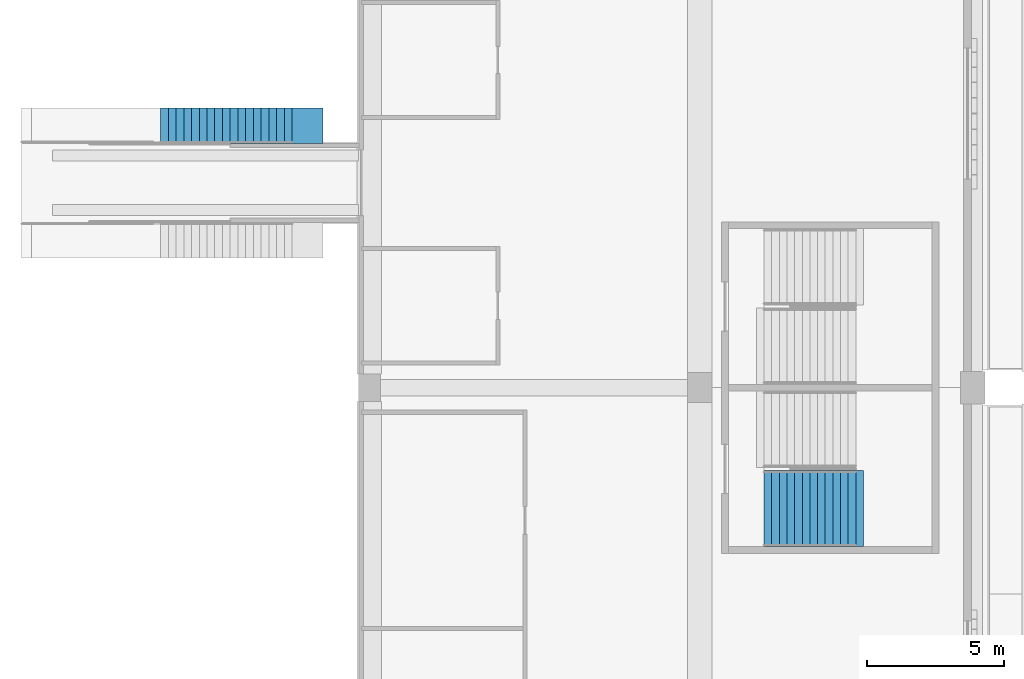
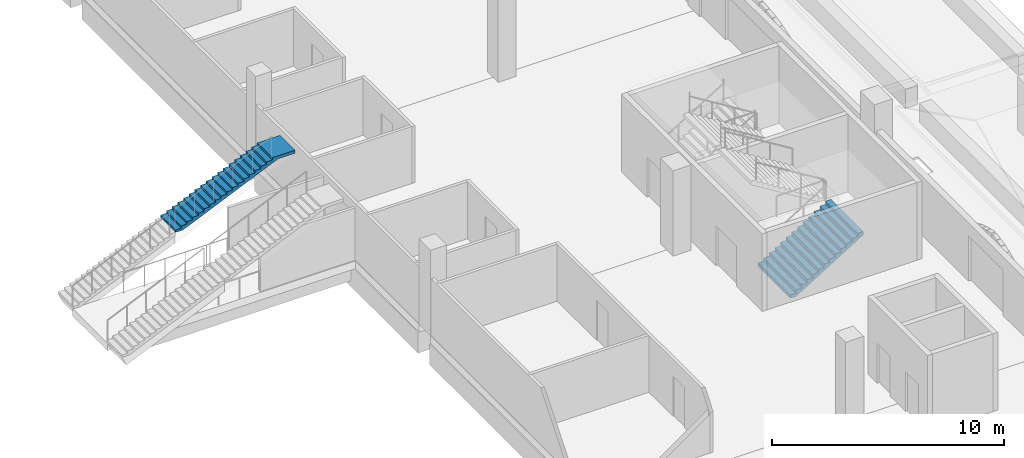
# One storey, part 104 of 175: 2 stair flights, 2 elements without a shape of their own.
"""IFC4 building model written with IfcOpenShell, lengths in metres."""

import ifcopenshell
import ifcopenshell.guid

model = None  # the IFC model being written
_history = None  # IfcOwnerHistory: only IFC2X3 demands one
_inside = {}  # id of a spatial element -> (the spatial element, [elements in it])
_under = {}  # id of a project, library or spatial element -> (it, [spatial elements below it])
_declared = {}  # id of a project -> (the project, [libraries it declares])
_typed = {}  # id of a type object -> (the type object, [elements of that type])
_made_of = {}  # id of a material, layer set ... -> (it, [elements and type objects made of it])


def new_model(schema):
    """Start an empty IFC model of exactly this schema.

    Asked for "IFC4X3", IfcOpenShell would pick the latest addendum, in which some entities
    have other attributes; the version numbers below select the first issue.
    IFC2X3 requires an IfcOwnerHistory on every rooted entity: one is made here for all.
    """
    global model, _history
    if schema == "IFC4X3":
        model = ifcopenshell.file(schema_version=(4, 3, 0, 0))
    else:
        model = ifcopenshell.file(schema=schema)
    _inside.clear()
    _under.clear()
    _declared.clear()
    _typed.clear()
    _made_of.clear()
    _history = None
    if model.schema == "IFC2X3":
        org = make("IfcOrganization", Name="unknown")
        user = make(
            "IfcPersonAndOrganization",
            ThePerson=make("IfcPerson", FamilyName="unknown"),
            TheOrganization=org,
        )
        app = make(
            "IfcApplication",
            ApplicationDeveloper=org,
            Version="unknown",
            ApplicationFullName="unknown",
            ApplicationIdentifier="unknown",
        )
        _history = make(
            "IfcOwnerHistory",
            OwningUser=user,
            OwningApplication=app,
            ChangeAction="ADDED",
            CreationDate=0,
        )
    return model


def make(cls, **values):
    """One entity of the class cls with the attributes given. An attribute that is None is left unset."""
    return model.create_entity(
        cls, **{name: value for name, value in values.items() if value is not None}
    )


def rooted(cls, **values):
    """An entity with a GlobalId (a new one), such as an element, a storey or a relation."""
    return make(cls, GlobalId=ifcopenshell.guid.new(), OwnerHistory=_history, **values)


def si_unit(unit_type, name, prefix=None):
    """IfcSIUnit, for example si_unit("LENGTHUNIT", "METRE", prefix="MILLI")."""
    return make("IfcSIUnit", UnitType=unit_type, Prefix=prefix, Name=name)


def assignment(units):
    """IfcUnitAssignment: the units of a project."""
    return None if units is None else make("IfcUnitAssignment", Units=units)


def point(xyz):
    """IfcCartesianPoint."""
    return None if xyz is None else make("IfcCartesianPoint", Coordinates=xyz)


def direction(xyz):
    """IfcDirection."""
    return None if xyz is None else make("IfcDirection", DirectionRatios=xyz)


def frame(location, z_axis=None, x_axis=None):
    """IfcAxis2Placement3D, a coordinate frame: its origin and axes. An axis left out is left unset."""
    return make(
        "IfcAxis2Placement3D",
        Location=point(location),
        Axis=direction(z_axis),
        RefDirection=direction(x_axis),
    )


def origin():
    """The frame at (0, 0, 0) with its axes left unset."""
    return frame((0.0, 0.0, 0.0))


def place(relative_to, where):
    """IfcLocalPlacement: puts the frame where relative to a parent placement (None: the world)."""
    return make(
        "IfcLocalPlacement", PlacementRelTo=relative_to, RelativePlacement=where
    )


def context(
    kind, dimensions, precision=None, world=None, true_north=None, identifier=None
):
    """IfcGeometricRepresentationContext, for example the 3D "Model" context."""
    return make(
        "IfcGeometricRepresentationContext",
        ContextIdentifier=identifier,
        ContextType=kind,
        CoordinateSpaceDimension=dimensions,
        Precision=precision,
        WorldCoordinateSystem=world,
        TrueNorth=true_north,
    )


def subcontext(parent, identifier, kind, view, scale=None):
    """IfcGeometricRepresentationSubContext, for example "Body" below "Model"."""
    return make(
        "IfcGeometricRepresentationSubContext",
        ContextIdentifier=identifier,
        ContextType=kind,
        ParentContext=parent,
        TargetScale=scale,
        TargetView=view,
    )


def project(units=None, contexts=None):
    """IfcProject with its units and contexts."""
    return rooted(
        "IfcProject",
        Name="project",
        RepresentationContexts=contexts,
        UnitsInContext=assignment(units),
    )


def spatial(cls, under=None, at=None, **own):
    """A site, building, storey or space (cls), placed at a placement, below another one or the project."""
    s = rooted(cls, ObjectPlacement=at, **own)
    if under is not None:
        _under.setdefault(under.id(), (under, []))[1].append(s)
    return s


def faces_of(points, faces, orient=None, outer=None):
    """IfcFace entities. A face is a list of loops; a loop is a list of indices into points, from 0.

    orient and outer hold one flag for each loop. By default every Orientation is true, the
    first loop of a face is its IfcFaceOuterBound and the others are IfcFaceBound.
    """
    made = []
    for i, loops in enumerate(faces):
        bounds = []
        for j, loop in enumerate(loops):
            is_outer = j == 0 if outer is None else outer[i][j]
            bounds.append(
                make(
                    "IfcFaceOuterBound" if is_outer else "IfcFaceBound",
                    Bound=make("IfcPolyLoop", Polygon=[points[k] for k in loop]),
                    Orientation=True if orient is None else orient[i][j],
                )
            )
        made.append(make("IfcFace", Bounds=bounds))
    return made


def faceted_brep(points, faces, orient=None, outer=None, voids=None):
    """IfcFacetedBrep: a solid bounded by flat faces; with voids (closed shells), ...WithVoids."""
    shared = [point(p) for p in points]
    hull = make("IfcClosedShell", CfsFaces=faces_of(shared, faces, orient, outer))
    if voids is None:
        return make("IfcFacetedBrep", Outer=hull)
    return make(
        "IfcFacetedBrepWithVoids",
        Outer=hull,
        Voids=[
            make(cls, CfsFaces=faces_of(shared, fs, o, b)) for cls, fs, o, b in voids
        ],
    )


def shape(context_of_items, identifier, shape_type, items):
    """IfcShapeRepresentation: the items that make up one representation, for example the "Body"."""
    return make(
        "IfcShapeRepresentation",
        ContextOfItems=context_of_items,
        RepresentationIdentifier=identifier,
        RepresentationType=shape_type,
        Items=items,
    )


def material(Name=None, Category=None):
    """IfcMaterial."""
    return make("IfcMaterial", Name=Name, Category=Category)


def made_of(thing, what):
    """Note that an element or type object is made of a material, layer set ...; save() writes the relation."""
    if what is not None:
        _made_of.setdefault(what.id(), (what, []))[1].append(thing)
    return thing


def type_object(cls, material=None, **own):
    """A type object (cls), such as IfcWallType, which elements share."""
    return made_of(rooted(cls, **own), material)


def element(
    cls,
    number,
    at=None,
    inside=None,
    cuts=None,
    type_object=None,
    material=None,
    context=None,
    identifier="Body",
    shape_type=None,
    held_by="IfcProductDefinitionShape",
    body=None,
    shapes=None,
    **own,
):
    """One element of the class cls, such as IfcWall. Its Tag is "e" and its number.

    at: its placement. inside: the storey or other place that contains it. cuts: it is an
    opening in that element (IfcRelVoidsElement). A single representation is given by context,
    identifier, shape_type and body (its items); several are given by shapes. held_by: the class
    of the entity that holds the representations. save() writes the other relations.
    """
    e = rooted(cls, Tag="e%d" % number, ObjectPlacement=at, **own)
    if body is not None:
        shapes = [shape(context, identifier, shape_type, body)]
    if shapes is not None:
        e.Representation = make(held_by, Representations=shapes)
    if inside is not None:
        _inside.setdefault(inside.id(), (inside, []))[1].append(e)
    if cuts is not None:
        rooted(
            "IfcRelVoidsElement", RelatingBuildingElement=cuts, RelatedOpeningElement=e
        )
    if type_object is not None:
        _typed.setdefault(type_object.id(), (type_object, []))[1].append(e)
    return made_of(e, material)


def aggregate(whole, parts):
    """IfcRelAggregates: a whole, such as a stair, and the parts it consists of."""
    return rooted("IfcRelAggregates", RelatingObject=whole, RelatedObjects=parts)


def save(model, path):
    """Write the relations noted so far, then the file.

    IfcRelAggregates (storeys below a building ...), IfcRelContainedInSpatialStructure (elements
    in a storey), IfcRelDefinesByType, IfcRelAssociatesMaterial and IfcRelDeclares: one each for
    every whole, place, type object, material and project.
    """
    for whole, parts in _under.values():
        aggregate(whole, parts)
    for where, things in _inside.values():
        rooted(
            "IfcRelContainedInSpatialStructure",
            RelatedElements=things,
            RelatingStructure=where,
        )
    for kind, things in _typed.values():
        rooted("IfcRelDefinesByType", RelatedObjects=things, RelatingType=kind)
    for what, things in _made_of.values():
        rooted("IfcRelAssociatesMaterial", RelatedObjects=things, RelatingMaterial=what)
    for by, libraries in _declared.values():
        rooted("IfcRelDeclares", RelatingContext=by, RelatedDefinitions=libraries)
    model.write(path)


model = new_model("IFC4")

# Units and contexts
model_context = context("Model", 3, precision=1e-05, world=origin(), true_north=direction((0.0, 1.0)))
body_context = subcontext(model_context, "Body", "Model", "MODEL_VIEW")
ifc_project = project(units=[si_unit("LENGTHUNIT", "METRE"), si_unit("AREAUNIT", "SQUARE_METRE"), si_unit("VOLUMEUNIT", "CUBIC_METRE"), si_unit("PLANEANGLEUNIT", "RADIAN"), si_unit("MASSUNIT", "GRAM", prefix="KILO")], contexts=[model_context])

# Site, building, storey
site_placement = place(None, origin())
site = spatial("IfcSite", under=ifc_project, at=site_placement, CompositionType="ELEMENT")
building_placement = place(site_placement, origin())
building = spatial("IfcBuilding", under=site, at=building_placement, Name="Ogive Plaza Stadium", CompositionType="ELEMENT")
storey_placement = place(building_placement, origin())
storey = spatial("IfcBuildingStorey", under=building, at=storey_placement, Name="L00", CompositionType="ELEMENT", Elevation=0.0)

# Stair, stair flight
ifc_material_1 = material(Name="Concrete C40/50", Category="concrete")
stair_type_1 = type_object("IfcStairType", Name="Aisle stair", PredefinedType="STRAIGHT_RUN_STAIR", material=ifc_material_1)
stair_1_placement = place(storey_placement, origin())
stair_1 = element("IfcStair", 1, at=stair_1_placement, inside=storey, type_object=stair_type_1, Name="Aisle stair SA03R", PredefinedType="STRAIGHT_RUN_STAIR")
ifc_material_2 = material(Name="Concrete C40/50", Category="concrete")
stair_flight_type_1 = type_object("IfcStairFlightType", Name="Aisle stair flight", PredefinedType="STRAIGHT", material=ifc_material_2)
stair_flight_1_placement = place(storey_placement, frame((54.25, 17.10009765625, 2.25), z_axis=(0.0, 0.0, 1.0), x_axis=(1.0, 0.0, 0.0)))
stair_flight_1 = element("IfcStairFlight", 2, at=stair_flight_1_placement, type_object=stair_flight_type_1, Name="SA03R flight 2", NumberOfRisers=18, NumberOfTreads=17, PredefinedType="STRAIGHT", RiserHeight=0.125, TreadLength=0.283333333, context=body_context, shape_type="Brep", body=[
    faceted_brep([(0.371337890625, -0.64990234375, 0.0), (5.10009765625, -0.64990234375, 2.086181640625), (5.949951171875, -0.64990234375, 2.086181640625), (5.949951171875, -0.64990234375, 2.25), (4.816650390625, -0.64990234375, 2.25), (4.816650390625, -0.64990234375, 2.125), (4.533447265625, -0.64990234375, 2.125), (4.533447265625, -0.64990234375, 2.0), (4.25, -0.64990234375, 2.0), (4.25, -0.64990234375, 1.875), (3.966552734375, -0.64990234375, 1.875), (3.966552734375, -0.64990234375, 1.75), (3.683349609375, -0.64990234375, 1.75), (3.683349609375, -0.64990234375, 1.625), (3.39990234375, -0.64990234375, 1.625), (3.39990234375, -0.64990234375, 1.5), (3.11669921875, -0.64990234375, 1.5), (3.11669921875, -0.64990234375, 1.375), (2.833251953125, -0.64990234375, 1.375), (2.833251953125, -0.64990234375, 1.25), (2.550048828125, -0.64990234375, 1.25), (2.550048828125, -0.64990234375, 1.125), (2.2666015625, -0.64990234375, 1.125), (2.2666015625, -0.64990234375, 1.0), (1.9833984375, -0.64990234375, 1.0), (1.9833984375, -0.64990234375, 0.875), (1.699951171875, -0.64990234375, 0.875), (1.699951171875, -0.64990234375, 0.75), (1.416748046875, -0.64990234375, 0.75), (1.416748046875, -0.64990234375, 0.625), (1.13330078125, -0.64990234375, 0.625), (1.13330078125, -0.64990234375, 0.5), (0.85009765625, -0.64990234375, 0.5), (0.85009765625, -0.64990234375, 0.375), (0.566650390625, -0.64990234375, 0.375), (0.566650390625, -0.64990234375, 0.25), (0.283447265625, -0.64990234375, 0.25), (0.283447265625, -0.64990234375, 0.125), (0.0, -0.64990234375, 0.125), (0.0, -0.64990234375, 0.0), (0.0, 0.64990234375, 0.0), (0.0, 0.64990234375, 0.125), (0.283447265625, 0.64990234375, 0.125), (0.283447265625, 0.64990234375, 0.25), (0.566650390625, 0.64990234375, 0.25), (0.566650390625, 0.64990234375, 0.375), (0.85009765625, 0.64990234375, 0.375), (0.85009765625, 0.64990234375, 0.5), (1.13330078125, 0.64990234375, 0.5), (1.13330078125, 0.64990234375, 0.625), (1.416748046875, 0.64990234375, 0.625), (1.416748046875, 0.64990234375, 0.75), (1.699951171875, 0.64990234375, 0.75), (1.699951171875, 0.64990234375, 0.875), (1.9833984375, 0.64990234375, 0.875), (1.9833984375, 0.64990234375, 1.0), (2.2666015625, 0.64990234375, 1.0), (2.2666015625, 0.64990234375, 1.125), (2.550048828125, 0.64990234375, 1.125), (2.550048828125, 0.64990234375, 1.25), (2.833251953125, 0.64990234375, 1.25), (2.833251953125, 0.64990234375, 1.375), (3.11669921875, 0.64990234375, 1.375), (3.11669921875, 0.64990234375, 1.5), (3.39990234375, 0.64990234375, 1.5), (3.39990234375, 0.64990234375, 1.625), (3.683349609375, 0.64990234375, 1.625), (3.683349609375, 0.64990234375, 1.75), (3.966552734375, 0.64990234375, 1.75), (3.966552734375, 0.64990234375, 1.875), (4.25, 0.64990234375, 1.875), (4.25, 0.64990234375, 2.0), (4.533447265625, 0.64990234375, 2.0), (4.533447265625, 0.64990234375, 2.125), (4.816650390625, 0.64990234375, 2.125), (4.816650390625, 0.64990234375, 2.25), (5.949951171875, 0.64990234375, 2.25), (5.949951171875, 0.64990234375, 2.086181640625), (5.10009765625, 0.64990234375, 2.086181640625), (0.371337890625, 0.64990234375, 0.0), (0.371337890625, -0.324951171875, 0.0), (5.10009765625, -0.324951171875, 2.086181640625), (0.371337890625, 0.0, 0.0), (5.10009765625, 0.0, 2.086181640625), (0.371337890625, 0.324951171875, 0.0), (5.10009765625, 0.324951171875, 2.086181640625), (5.949951171875, -0.324951171875, 2.086181640625), (5.949951171875, 0.0, 2.086181640625), (5.949951171875, 0.324951171875, 2.086181640625), (5.949951171875, -0.324951171875, 2.25), (5.949951171875, 0.0, 2.25), (5.949951171875, 0.324951171875, 2.25), (4.816650390625, -0.324951171875, 2.25), (4.816650390625, 0.0, 2.25), (4.816650390625, 0.324951171875, 2.25), (4.816650390625, -0.324951171875, 2.125), (4.816650390625, 0.0, 2.125), (4.816650390625, 0.324951171875, 2.125), (4.533447265625, -0.324951171875, 2.125), (4.533447265625, 0.0, 2.125), (4.533447265625, 0.324951171875, 2.125), (4.533447265625, -0.324951171875, 2.0), (4.533447265625, 0.0, 2.0), (4.533447265625, 0.324951171875, 2.0), (4.25, -0.324951171875, 2.0), (4.25, 0.0, 2.0), (4.25, 0.324951171875, 2.0), (4.25, -0.324951171875, 1.875), (4.25, 0.0, 1.875), (4.25, 0.324951171875, 1.875), (3.966552734375, -0.324951171875, 1.875), (3.966552734375, 0.0, 1.875), (3.966552734375, 0.324951171875, 1.875), (3.966552734375, -0.324951171875, 1.75), (3.966552734375, 0.0, 1.75), (3.966552734375, 0.324951171875, 1.75), (3.683349609375, -0.324951171875, 1.75), (3.683349609375, 0.0, 1.75), (3.683349609375, 0.324951171875, 1.75), (3.683349609375, -0.324951171875, 1.625), (3.683349609375, 0.0, 1.625), (3.683349609375, 0.324951171875, 1.625), (3.39990234375, -0.324951171875, 1.625), (3.39990234375, 0.0, 1.625), (3.39990234375, 0.324951171875, 1.625), (3.39990234375, -0.324951171875, 1.5), (3.39990234375, 0.0, 1.5), (3.39990234375, 0.324951171875, 1.5), (3.11669921875, -0.324951171875, 1.5), (3.11669921875, 0.0, 1.5), (3.11669921875, 0.324951171875, 1.5), (3.11669921875, -0.324951171875, 1.375), (3.11669921875, 0.0, 1.375), (3.11669921875, 0.324951171875, 1.375), (2.833251953125, -0.324951171875, 1.375), (2.833251953125, 0.0, 1.375), (2.833251953125, 0.324951171875, 1.375), (2.833251953125, -0.324951171875, 1.25), (2.833251953125, 0.0, 1.25), (2.833251953125, 0.324951171875, 1.25), (2.550048828125, -0.324951171875, 1.25), (2.550048828125, 0.0, 1.25), (2.550048828125, 0.324951171875, 1.25), (2.550048828125, -0.324951171875, 1.125), (2.550048828125, 0.0, 1.125), (2.550048828125, 0.324951171875, 1.125), (2.2666015625, -0.324951171875, 1.125), (2.2666015625, 0.0, 1.125), (2.2666015625, 0.324951171875, 1.125), (2.2666015625, -0.324951171875, 1.0), (2.2666015625, 0.0, 1.0), (2.2666015625, 0.324951171875, 1.0), (1.9833984375, -0.324951171875, 1.0), (1.9833984375, 0.0, 1.0), (1.9833984375, 0.324951171875, 1.0), (1.9833984375, -0.324951171875, 0.875), (1.9833984375, 0.0, 0.875), (1.9833984375, 0.324951171875, 0.875), (1.699951171875, -0.324951171875, 0.875), (1.699951171875, 0.0, 0.875), (1.699951171875, 0.324951171875, 0.875), (1.699951171875, -0.324951171875, 0.75), (1.699951171875, 0.0, 0.75), (1.699951171875, 0.324951171875, 0.75), (1.416748046875, -0.324951171875, 0.75), (1.416748046875, 0.0, 0.75), (1.416748046875, 0.324951171875, 0.75), (1.416748046875, -0.324951171875, 0.625), (1.416748046875, 0.0, 0.625), (1.416748046875, 0.324951171875, 0.625), (1.13330078125, -0.324951171875, 0.625), (1.13330078125, 0.0, 0.625), (1.13330078125, 0.324951171875, 0.625), (1.13330078125, -0.324951171875, 0.5), (1.13330078125, 0.0, 0.5), (1.13330078125, 0.324951171875, 0.5), (0.85009765625, -0.324951171875, 0.5), (0.85009765625, 0.0, 0.5), (0.85009765625, 0.324951171875, 0.5), (0.85009765625, -0.324951171875, 0.375), (0.85009765625, 0.0, 0.375), (0.85009765625, 0.324951171875, 0.375), (0.566650390625, -0.324951171875, 0.375), (0.566650390625, 0.0, 0.375), (0.566650390625, 0.324951171875, 0.375), (0.566650390625, -0.324951171875, 0.25), (0.566650390625, 0.0, 0.25), (0.566650390625, 0.324951171875, 0.25), (0.283447265625, -0.324951171875, 0.25), (0.283447265625, 0.0, 0.25), (0.283447265625, 0.324951171875, 0.25), (0.283447265625, -0.324951171875, 0.125), (0.283447265625, 0.0, 0.125), (0.283447265625, 0.324951171875, 0.125), (0.0, -0.324951171875, 0.125), (0.0, 0.0, 0.125), (0.0, 0.324951171875, 0.125), (0.0, -0.324951171875, 0.0), (0.0, 0.0, 0.0), (0.0, 0.324951171875, 0.0)], [[[0, 1, 2, 3, 4, 5, 6, 7, 8, 9, 10, 11, 12, 13, 14, 15, 16, 17, 18, 19, 20, 21, 22, 23, 24, 25, 26, 27, 28, 29, 30, 31, 32, 33, 34, 35, 36, 37, 38, 39]], [[40, 41, 42, 43, 44, 45, 46, 47, 48, 49, 50, 51, 52, 53, 54, 55, 56, 57, 58, 59, 60, 61, 62, 63, 64, 65, 66, 67, 68, 69, 70, 71, 72, 73, 74, 75, 76, 77, 78, 79]], [[0, 80, 81, 1]], [[80, 82, 83, 81]], [[82, 84, 85, 83]], [[84, 79, 78, 85]], [[1, 81, 86, 2]], [[81, 83, 87, 86]], [[83, 85, 88, 87]], [[85, 78, 77, 88]], [[2, 86, 89, 3]], [[86, 87, 90, 89]], [[87, 88, 91, 90]], [[88, 77, 76, 91]], [[3, 89, 92, 4]], [[89, 90, 93, 92]], [[90, 91, 94, 93]], [[91, 76, 75, 94]], [[4, 92, 95, 5]], [[92, 93, 96, 95]], [[93, 94, 97, 96]], [[94, 75, 74, 97]], [[5, 95, 98, 6]], [[95, 96, 99, 98]], [[96, 97, 100, 99]], [[97, 74, 73, 100]], [[6, 98, 101, 7]], [[98, 99, 102, 101]], [[99, 100, 103, 102]], [[100, 73, 72, 103]], [[7, 101, 104, 8]], [[101, 102, 105, 104]], [[102, 103, 106, 105]], [[103, 72, 71, 106]], [[8, 104, 107, 9]], [[104, 105, 108, 107]], [[105, 106, 109, 108]], [[106, 71, 70, 109]], [[9, 107, 110, 10]], [[107, 108, 111, 110]], [[108, 109, 112, 111]], [[109, 70, 69, 112]], [[10, 110, 113, 11]], [[110, 111, 114, 113]], [[111, 112, 115, 114]], [[112, 69, 68, 115]], [[11, 113, 116, 12]], [[113, 114, 117, 116]], [[114, 115, 118, 117]], [[115, 68, 67, 118]], [[12, 116, 119, 13]], [[116, 117, 120, 119]], [[117, 118, 121, 120]], [[118, 67, 66, 121]], [[13, 119, 122, 14]], [[119, 120, 123, 122]], [[120, 121, 124, 123]], [[121, 66, 65, 124]], [[14, 122, 125, 15]], [[122, 123, 126, 125]], [[123, 124, 127, 126]], [[124, 65, 64, 127]], [[15, 125, 128, 16]], [[125, 126, 129, 128]], [[126, 127, 130, 129]], [[127, 64, 63, 130]], [[16, 128, 131, 17]], [[128, 129, 132, 131]], [[129, 130, 133, 132]], [[130, 63, 62, 133]], [[17, 131, 134, 18]], [[131, 132, 135, 134]], [[132, 133, 136, 135]], [[133, 62, 61, 136]], [[18, 134, 137, 19]], [[134, 135, 138, 137]], [[135, 136, 139, 138]], [[136, 61, 60, 139]], [[19, 137, 140, 20]], [[137, 138, 141, 140]], [[138, 139, 142, 141]], [[139, 60, 59, 142]], [[20, 140, 143, 21]], [[140, 141, 144, 143]], [[141, 142, 145, 144]], [[142, 59, 58, 145]], [[21, 143, 146, 22]], [[143, 144, 147, 146]], [[144, 145, 148, 147]], [[145, 58, 57, 148]], [[22, 146, 149, 23]], [[146, 147, 150, 149]], [[147, 148, 151, 150]], [[148, 57, 56, 151]], [[23, 149, 152, 24]], [[149, 150, 153, 152]], [[150, 151, 154, 153]], [[151, 56, 55, 154]], [[24, 152, 155, 25]], [[152, 153, 156, 155]], [[153, 154, 157, 156]], [[154, 55, 54, 157]], [[25, 155, 158, 26]], [[155, 156, 159, 158]], [[156, 157, 160, 159]], [[157, 54, 53, 160]], [[26, 158, 161, 27]], [[158, 159, 162, 161]], [[159, 160, 163, 162]], [[160, 53, 52, 163]], [[27, 161, 164, 28]], [[161, 162, 165, 164]], [[162, 163, 166, 165]], [[163, 52, 51, 166]], [[28, 164, 167, 29]], [[164, 165, 168, 167]], [[165, 166, 169, 168]], [[166, 51, 50, 169]], [[29, 167, 170, 30]], [[167, 168, 171, 170]], [[168, 169, 172, 171]], [[169, 50, 49, 172]], [[30, 170, 173, 31]], [[170, 171, 174, 173]], [[171, 172, 175, 174]], [[172, 49, 48, 175]], [[31, 173, 176, 32]], [[173, 174, 177, 176]], [[174, 175, 178, 177]], [[175, 48, 47, 178]], [[32, 176, 179, 33]], [[176, 177, 180, 179]], [[177, 178, 181, 180]], [[178, 47, 46, 181]], [[33, 179, 182, 34]], [[179, 180, 183, 182]], [[180, 181, 184, 183]], [[181, 46, 45, 184]], [[34, 182, 185, 35]], [[182, 183, 186, 185]], [[183, 184, 187, 186]], [[184, 45, 44, 187]], [[35, 185, 188, 36]], [[185, 186, 189, 188]], [[186, 187, 190, 189]], [[187, 44, 43, 190]], [[36, 188, 191, 37]], [[188, 189, 192, 191]], [[189, 190, 193, 192]], [[190, 43, 42, 193]], [[37, 191, 194, 38]], [[191, 192, 195, 194]], [[192, 193, 196, 195]], [[193, 42, 41, 196]], [[38, 194, 197, 39]], [[194, 195, 198, 197]], [[195, 196, 199, 198]], [[196, 41, 40, 199]], [[39, 197, 80, 0]], [[197, 198, 82, 80]], [[198, 199, 84, 82]], [[199, 40, 79, 84]]]),
])
aggregate(stair_1, [stair_flight_1])

ifc_material_3 = material(Name="Concrete C40/50", Category="concrete")
stair_type_2 = type_object("IfcStairType", Name="Exit stair", PredefinedType="STRAIGHT_RUN_STAIR", material=ifc_material_3)
stair_2_placement = place(storey_placement, origin())
stair_2 = element("IfcStair", 3, at=stair_2_placement, inside=storey, type_object=stair_type_2, Name="Exit stair ST04A L00 to L01", PredefinedType="STRAIGHT_RUN_STAIR")
ifc_material_4 = material(Name="Concrete C40/50", Category="concrete")
stair_flight_type_2 = type_object("IfcStairFlightType", Name="Exit stair flight", PredefinedType="STRAIGHT", material=ifc_material_4)
stair_flight_2_placement = place(storey_placement, frame((76.35009765625, 3.074951171875, 0.0), z_axis=(0.0, 0.0, 1.0), x_axis=(1.0, 0.0, 0.0)))
stair_flight_2 = element("IfcStairFlight", 4, at=stair_flight_2_placement, type_object=stair_flight_type_2, Name="ST04A flight 1", NumberOfRisers=13, NumberOfTreads=12, PredefinedType="STRAIGHT", RiserHeight=0.173076923, TreadLength=0.28, context=body_context, shape_type="Brep", body=[
    faceted_brep([(0.28515625, -1.39990234375, 0.0), (3.639892578125, -1.39990234375, 2.07373046875), (3.639892578125, -1.39990234375, 2.25), (3.360107421875, -1.39990234375, 2.25), (3.360107421875, -1.39990234375, 2.076904296875), (3.080078125, -1.39990234375, 2.076904296875), (3.080078125, -1.39990234375, 1.90380859375), (2.800048828125, -1.39990234375, 1.90380859375), (2.800048828125, -1.39990234375, 1.730712890625), (2.52001953125, -1.39990234375, 1.730712890625), (2.52001953125, -1.39990234375, 1.5576171875), (2.239990234375, -1.39990234375, 1.5576171875), (2.239990234375, -1.39990234375, 1.384521484375), (1.9599609375, -1.39990234375, 1.384521484375), (1.9599609375, -1.39990234375, 1.21142578125), (1.679931640625, -1.39990234375, 1.21142578125), (1.679931640625, -1.39990234375, 1.03857421875), (1.39990234375, -1.39990234375, 1.03857421875), (1.39990234375, -1.39990234375, 0.865478515625), (1.1201171875, -1.39990234375, 0.865478515625), (1.1201171875, -1.39990234375, 0.6923828125), (0.840087890625, -1.39990234375, 0.6923828125), (0.840087890625, -1.39990234375, 0.519287109375), (0.56005859375, -1.39990234375, 0.519287109375), (0.56005859375, -1.39990234375, 0.34619140625), (0.280029296875, -1.39990234375, 0.34619140625), (0.280029296875, -1.39990234375, 0.173095703125), (0.0, -1.39990234375, 0.173095703125), (0.0, -1.39990234375, 0.0), (0.0, 1.39990234375, 0.0), (0.0, 1.39990234375, 0.173095703125), (0.280029296875, 1.39990234375, 0.173095703125), (0.280029296875, 1.39990234375, 0.34619140625), (0.56005859375, 1.39990234375, 0.34619140625), (0.56005859375, 1.39990234375, 0.519287109375), (0.840087890625, 1.39990234375, 0.519287109375), (0.840087890625, 1.39990234375, 0.6923828125), (1.1201171875, 1.39990234375, 0.6923828125), (1.1201171875, 1.39990234375, 0.865478515625), (1.39990234375, 1.39990234375, 0.865478515625), (1.39990234375, 1.39990234375, 1.03857421875), (1.679931640625, 1.39990234375, 1.03857421875), (1.679931640625, 1.39990234375, 1.21142578125), (1.9599609375, 1.39990234375, 1.21142578125), (1.9599609375, 1.39990234375, 1.384521484375), (2.239990234375, 1.39990234375, 1.384521484375), (2.239990234375, 1.39990234375, 1.5576171875), (2.52001953125, 1.39990234375, 1.5576171875), (2.52001953125, 1.39990234375, 1.730712890625), (2.800048828125, 1.39990234375, 1.730712890625), (2.800048828125, 1.39990234375, 1.90380859375), (3.080078125, 1.39990234375, 1.90380859375), (3.080078125, 1.39990234375, 2.076904296875), (3.360107421875, 1.39990234375, 2.076904296875), (3.360107421875, 1.39990234375, 2.25), (3.639892578125, 1.39990234375, 2.25), (3.639892578125, 1.39990234375, 2.07373046875), (0.28515625, 1.39990234375, 0.0), (0.28515625, -1.0888671875, 0.0), (3.639892578125, -1.0888671875, 2.07373046875), (0.28515625, -0.77783203125, 0.0), (3.639892578125, -0.77783203125, 2.07373046875), (0.28515625, -0.466796875, 0.0), (3.639892578125, -0.466796875, 2.07373046875), (0.28515625, -0.155517578125, 0.0), (3.639892578125, -0.155517578125, 2.07373046875), (0.28515625, 0.155517578125, 0.0), (3.639892578125, 0.155517578125, 2.07373046875), (0.28515625, 0.466796875, 0.0), (3.639892578125, 0.466796875, 2.07373046875), (0.28515625, 0.77783203125, 0.0), (3.639892578125, 0.77783203125, 2.07373046875), (0.28515625, 1.0888671875, 0.0), (3.639892578125, 1.0888671875, 2.07373046875), (3.639892578125, -1.0888671875, 2.25), (3.639892578125, -0.77783203125, 2.25), (3.639892578125, -0.466796875, 2.25), (3.639892578125, -0.155517578125, 2.25), (3.639892578125, 0.155517578125, 2.25), (3.639892578125, 0.466796875, 2.25), (3.639892578125, 0.77783203125, 2.25), (3.639892578125, 1.0888671875, 2.25), (3.360107421875, -1.0888671875, 2.25), (3.360107421875, -0.77783203125, 2.25), (3.360107421875, -0.466796875, 2.25), (3.360107421875, -0.155517578125, 2.25), (3.360107421875, 0.155517578125, 2.25), (3.360107421875, 0.466796875, 2.25), (3.360107421875, 0.77783203125, 2.25), (3.360107421875, 1.0888671875, 2.25), (3.360107421875, -1.0888671875, 2.076904296875), (3.360107421875, -0.77783203125, 2.076904296875), (3.360107421875, -0.466796875, 2.076904296875), (3.360107421875, -0.155517578125, 2.076904296875), (3.360107421875, 0.155517578125, 2.076904296875), (3.360107421875, 0.466796875, 2.076904296875), (3.360107421875, 0.77783203125, 2.076904296875), (3.360107421875, 1.0888671875, 2.076904296875), (3.080078125, -1.0888671875, 2.076904296875), (3.080078125, -0.77783203125, 2.076904296875), (3.080078125, -0.466796875, 2.076904296875), (3.080078125, -0.155517578125, 2.076904296875), (3.080078125, 0.155517578125, 2.076904296875), (3.080078125, 0.466796875, 2.076904296875), (3.080078125, 0.77783203125, 2.076904296875), (3.080078125, 1.0888671875, 2.076904296875), (3.080078125, -1.0888671875, 1.90380859375), (3.080078125, -0.77783203125, 1.90380859375), (3.080078125, -0.466796875, 1.90380859375), (3.080078125, -0.155517578125, 1.90380859375), (3.080078125, 0.155517578125, 1.90380859375), (3.080078125, 0.466796875, 1.90380859375), (3.080078125, 0.77783203125, 1.90380859375), (3.080078125, 1.0888671875, 1.90380859375), (2.800048828125, -1.0888671875, 1.90380859375), (2.800048828125, -0.77783203125, 1.90380859375), (2.800048828125, -0.466796875, 1.90380859375), (2.800048828125, -0.155517578125, 1.90380859375), (2.800048828125, 0.155517578125, 1.90380859375), (2.800048828125, 0.466796875, 1.90380859375), (2.800048828125, 0.77783203125, 1.90380859375), (2.800048828125, 1.0888671875, 1.90380859375), (2.800048828125, -1.0888671875, 1.730712890625), (2.800048828125, -0.77783203125, 1.730712890625), (2.800048828125, -0.466796875, 1.730712890625), (2.800048828125, -0.155517578125, 1.730712890625), (2.800048828125, 0.155517578125, 1.730712890625), (2.800048828125, 0.466796875, 1.730712890625), (2.800048828125, 0.77783203125, 1.730712890625), (2.800048828125, 1.0888671875, 1.730712890625), (2.52001953125, -1.0888671875, 1.730712890625), (2.52001953125, -0.77783203125, 1.730712890625), (2.52001953125, -0.466796875, 1.730712890625), (2.52001953125, -0.155517578125, 1.730712890625), (2.52001953125, 0.155517578125, 1.730712890625), (2.52001953125, 0.466796875, 1.730712890625), (2.52001953125, 0.77783203125, 1.730712890625), (2.52001953125, 1.0888671875, 1.730712890625), (2.52001953125, -1.0888671875, 1.5576171875), (2.52001953125, -0.77783203125, 1.5576171875), (2.52001953125, -0.466796875, 1.5576171875), (2.52001953125, -0.155517578125, 1.5576171875), (2.52001953125, 0.155517578125, 1.5576171875), (2.52001953125, 0.466796875, 1.5576171875), (2.52001953125, 0.77783203125, 1.5576171875), (2.52001953125, 1.0888671875, 1.5576171875), (2.239990234375, -1.0888671875, 1.5576171875), (2.239990234375, -0.77783203125, 1.5576171875), (2.239990234375, -0.466796875, 1.5576171875), (2.239990234375, -0.155517578125, 1.5576171875), (2.239990234375, 0.155517578125, 1.5576171875), (2.239990234375, 0.466796875, 1.5576171875), (2.239990234375, 0.77783203125, 1.5576171875), (2.239990234375, 1.0888671875, 1.5576171875), (2.239990234375, -1.0888671875, 1.384521484375), (2.239990234375, -0.77783203125, 1.384521484375), (2.239990234375, -0.466796875, 1.384521484375), (2.239990234375, -0.155517578125, 1.384521484375), (2.239990234375, 0.155517578125, 1.384521484375), (2.239990234375, 0.466796875, 1.384521484375), (2.239990234375, 0.77783203125, 1.384521484375), (2.239990234375, 1.0888671875, 1.384521484375), (1.9599609375, -1.0888671875, 1.384521484375), (1.9599609375, -0.77783203125, 1.384521484375), (1.9599609375, -0.466796875, 1.384521484375), (1.9599609375, -0.155517578125, 1.384521484375), (1.9599609375, 0.155517578125, 1.384521484375), (1.9599609375, 0.466796875, 1.384521484375), (1.9599609375, 0.77783203125, 1.384521484375), (1.9599609375, 1.0888671875, 1.384521484375), (1.9599609375, -1.0888671875, 1.21142578125), (1.9599609375, -0.77783203125, 1.21142578125), (1.9599609375, -0.466796875, 1.21142578125), (1.9599609375, -0.155517578125, 1.21142578125), (1.9599609375, 0.155517578125, 1.21142578125), (1.9599609375, 0.466796875, 1.21142578125), (1.9599609375, 0.77783203125, 1.21142578125), (1.9599609375, 1.0888671875, 1.21142578125), (1.679931640625, -1.0888671875, 1.21142578125), (1.679931640625, -0.77783203125, 1.21142578125), (1.679931640625, -0.466796875, 1.21142578125), (1.679931640625, -0.155517578125, 1.21142578125), (1.679931640625, 0.155517578125, 1.21142578125), (1.679931640625, 0.466796875, 1.21142578125), (1.679931640625, 0.77783203125, 1.21142578125), (1.679931640625, 1.0888671875, 1.21142578125), (1.679931640625, -1.0888671875, 1.03857421875), (1.679931640625, -0.77783203125, 1.03857421875), (1.679931640625, -0.466796875, 1.03857421875), (1.679931640625, -0.155517578125, 1.03857421875), (1.679931640625, 0.155517578125, 1.03857421875), (1.679931640625, 0.466796875, 1.03857421875), (1.679931640625, 0.77783203125, 1.03857421875), (1.679931640625, 1.0888671875, 1.03857421875), (1.39990234375, -1.0888671875, 1.03857421875), (1.39990234375, -0.77783203125, 1.03857421875), (1.39990234375, -0.466796875, 1.03857421875), (1.39990234375, -0.155517578125, 1.03857421875), (1.39990234375, 0.155517578125, 1.03857421875), (1.39990234375, 0.466796875, 1.03857421875), (1.39990234375, 0.77783203125, 1.03857421875), (1.39990234375, 1.0888671875, 1.03857421875), (1.39990234375, -1.0888671875, 0.865478515625), (1.39990234375, -0.77783203125, 0.865478515625), (1.39990234375, -0.466796875, 0.865478515625), (1.39990234375, -0.155517578125, 0.865478515625), (1.39990234375, 0.155517578125, 0.865478515625), (1.39990234375, 0.466796875, 0.865478515625), (1.39990234375, 0.77783203125, 0.865478515625), (1.39990234375, 1.0888671875, 0.865478515625), (1.1201171875, -1.0888671875, 0.865478515625), (1.1201171875, -0.77783203125, 0.865478515625), (1.1201171875, -0.466796875, 0.865478515625), (1.1201171875, -0.155517578125, 0.865478515625), (1.1201171875, 0.155517578125, 0.865478515625), (1.1201171875, 0.466796875, 0.865478515625), (1.1201171875, 0.77783203125, 0.865478515625), (1.1201171875, 1.0888671875, 0.865478515625), (1.1201171875, -1.0888671875, 0.6923828125), (1.1201171875, -0.77783203125, 0.6923828125), (1.1201171875, -0.466796875, 0.6923828125), (1.1201171875, -0.155517578125, 0.6923828125), (1.1201171875, 0.155517578125, 0.6923828125), (1.1201171875, 0.466796875, 0.6923828125), (1.1201171875, 0.77783203125, 0.6923828125), (1.1201171875, 1.0888671875, 0.6923828125), (0.840087890625, -1.0888671875, 0.6923828125), (0.840087890625, -0.77783203125, 0.6923828125), (0.840087890625, -0.466796875, 0.6923828125), (0.840087890625, -0.155517578125, 0.6923828125), (0.840087890625, 0.155517578125, 0.6923828125), (0.840087890625, 0.466796875, 0.6923828125), (0.840087890625, 0.77783203125, 0.6923828125), (0.840087890625, 1.0888671875, 0.6923828125), (0.840087890625, -1.0888671875, 0.519287109375), (0.840087890625, -0.77783203125, 0.519287109375), (0.840087890625, -0.466796875, 0.519287109375), (0.840087890625, -0.155517578125, 0.519287109375), (0.840087890625, 0.155517578125, 0.519287109375), (0.840087890625, 0.466796875, 0.519287109375), (0.840087890625, 0.77783203125, 0.519287109375), (0.840087890625, 1.0888671875, 0.519287109375), (0.56005859375, -1.0888671875, 0.519287109375), (0.56005859375, -0.77783203125, 0.519287109375), (0.56005859375, -0.466796875, 0.519287109375), (0.56005859375, -0.155517578125, 0.519287109375), (0.56005859375, 0.155517578125, 0.519287109375), (0.56005859375, 0.466796875, 0.519287109375), (0.56005859375, 0.77783203125, 0.519287109375), (0.56005859375, 1.0888671875, 0.519287109375), (0.56005859375, -1.0888671875, 0.34619140625), (0.56005859375, -0.77783203125, 0.34619140625), (0.56005859375, -0.466796875, 0.34619140625), (0.56005859375, -0.155517578125, 0.34619140625), (0.56005859375, 0.155517578125, 0.34619140625), (0.56005859375, 0.466796875, 0.34619140625), (0.56005859375, 0.77783203125, 0.34619140625), (0.56005859375, 1.0888671875, 0.34619140625), (0.280029296875, -1.0888671875, 0.34619140625), (0.280029296875, -0.77783203125, 0.34619140625), (0.280029296875, -0.466796875, 0.34619140625), (0.280029296875, -0.155517578125, 0.34619140625), (0.280029296875, 0.155517578125, 0.34619140625), (0.280029296875, 0.466796875, 0.34619140625), (0.280029296875, 0.77783203125, 0.34619140625), (0.280029296875, 1.0888671875, 0.34619140625), (0.280029296875, -1.0888671875, 0.173095703125), (0.280029296875, -0.77783203125, 0.173095703125), (0.280029296875, -0.466796875, 0.173095703125), (0.280029296875, -0.155517578125, 0.173095703125), (0.280029296875, 0.155517578125, 0.173095703125), (0.280029296875, 0.466796875, 0.173095703125), (0.280029296875, 0.77783203125, 0.173095703125), (0.280029296875, 1.0888671875, 0.173095703125), (0.0, -1.0888671875, 0.173095703125), (0.0, -0.77783203125, 0.173095703125), (0.0, -0.466796875, 0.173095703125), (0.0, -0.155517578125, 0.173095703125), (0.0, 0.155517578125, 0.173095703125), (0.0, 0.466796875, 0.173095703125), (0.0, 0.77783203125, 0.173095703125), (0.0, 1.0888671875, 0.173095703125), (0.0, -1.0888671875, 0.0), (0.0, -0.77783203125, 0.0), (0.0, -0.466796875, 0.0), (0.0, -0.155517578125, 0.0), (0.0, 0.155517578125, 0.0), (0.0, 0.466796875, 0.0), (0.0, 0.77783203125, 0.0), (0.0, 1.0888671875, 0.0)], [[[0, 1, 2, 3, 4, 5, 6, 7, 8, 9, 10, 11, 12, 13, 14, 15, 16, 17, 18, 19, 20, 21, 22, 23, 24, 25, 26, 27, 28]], [[29, 30, 31, 32, 33, 34, 35, 36, 37, 38, 39, 40, 41, 42, 43, 44, 45, 46, 47, 48, 49, 50, 51, 52, 53, 54, 55, 56, 57]], [[0, 58, 59, 1]], [[58, 60, 61, 59]], [[60, 62, 63, 61]], [[62, 64, 65, 63]], [[64, 66, 67, 65]], [[66, 68, 69, 67]], [[68, 70, 71, 69]], [[70, 72, 73, 71]], [[72, 57, 56, 73]], [[1, 59, 74, 2]], [[59, 61, 75, 74]], [[61, 63, 76, 75]], [[63, 65, 77, 76]], [[65, 67, 78, 77]], [[67, 69, 79, 78]], [[69, 71, 80, 79]], [[71, 73, 81, 80]], [[73, 56, 55, 81]], [[2, 74, 82, 3]], [[74, 75, 83, 82]], [[75, 76, 84, 83]], [[76, 77, 85, 84]], [[77, 78, 86, 85]], [[78, 79, 87, 86]], [[79, 80, 88, 87]], [[80, 81, 89, 88]], [[81, 55, 54, 89]], [[3, 82, 90, 4]], [[82, 83, 91, 90]], [[83, 84, 92, 91]], [[84, 85, 93, 92]], [[85, 86, 94, 93]], [[86, 87, 95, 94]], [[87, 88, 96, 95]], [[88, 89, 97, 96]], [[89, 54, 53, 97]], [[4, 90, 98, 5]], [[90, 91, 99, 98]], [[91, 92, 100, 99]], [[92, 93, 101, 100]], [[93, 94, 102, 101]], [[94, 95, 103, 102]], [[95, 96, 104, 103]], [[96, 97, 105, 104]], [[97, 53, 52, 105]], [[5, 98, 106, 6]], [[98, 99, 107, 106]], [[99, 100, 108, 107]], [[100, 101, 109, 108]], [[101, 102, 110, 109]], [[102, 103, 111, 110]], [[103, 104, 112, 111]], [[104, 105, 113, 112]], [[105, 52, 51, 113]], [[6, 106, 114, 7]], [[106, 107, 115, 114]], [[107, 108, 116, 115]], [[108, 109, 117, 116]], [[109, 110, 118, 117]], [[110, 111, 119, 118]], [[111, 112, 120, 119]], [[112, 113, 121, 120]], [[113, 51, 50, 121]], [[7, 114, 122, 8]], [[114, 115, 123, 122]], [[115, 116, 124, 123]], [[116, 117, 125, 124]], [[117, 118, 126, 125]], [[118, 119, 127, 126]], [[119, 120, 128, 127]], [[120, 121, 129, 128]], [[121, 50, 49, 129]], [[8, 122, 130, 9]], [[122, 123, 131, 130]], [[123, 124, 132, 131]], [[124, 125, 133, 132]], [[125, 126, 134, 133]], [[126, 127, 135, 134]], [[127, 128, 136, 135]], [[128, 129, 137, 136]], [[129, 49, 48, 137]], [[9, 130, 138, 10]], [[130, 131, 139, 138]], [[131, 132, 140, 139]], [[132, 133, 141, 140]], [[133, 134, 142, 141]], [[134, 135, 143, 142]], [[135, 136, 144, 143]], [[136, 137, 145, 144]], [[137, 48, 47, 145]], [[10, 138, 146, 11]], [[138, 139, 147, 146]], [[139, 140, 148, 147]], [[140, 141, 149, 148]], [[141, 142, 150, 149]], [[142, 143, 151, 150]], [[143, 144, 152, 151]], [[144, 145, 153, 152]], [[145, 47, 46, 153]], [[11, 146, 154, 12]], [[146, 147, 155, 154]], [[147, 148, 156, 155]], [[148, 149, 157, 156]], [[149, 150, 158, 157]], [[150, 151, 159, 158]], [[151, 152, 160, 159]], [[152, 153, 161, 160]], [[153, 46, 45, 161]], [[12, 154, 162, 13]], [[154, 155, 163, 162]], [[155, 156, 164, 163]], [[156, 157, 165, 164]], [[157, 158, 166, 165]], [[158, 159, 167, 166]], [[159, 160, 168, 167]], [[160, 161, 169, 168]], [[161, 45, 44, 169]], [[13, 162, 170, 14]], [[162, 163, 171, 170]], [[163, 164, 172, 171]], [[164, 165, 173, 172]], [[165, 166, 174, 173]], [[166, 167, 175, 174]], [[167, 168, 176, 175]], [[168, 169, 177, 176]], [[169, 44, 43, 177]], [[14, 170, 178, 15]], [[170, 171, 179, 178]], [[171, 172, 180, 179]], [[172, 173, 181, 180]], [[173, 174, 182, 181]], [[174, 175, 183, 182]], [[175, 176, 184, 183]], [[176, 177, 185, 184]], [[177, 43, 42, 185]], [[15, 178, 186, 16]], [[178, 179, 187, 186]], [[179, 180, 188, 187]], [[180, 181, 189, 188]], [[181, 182, 190, 189]], [[182, 183, 191, 190]], [[183, 184, 192, 191]], [[184, 185, 193, 192]], [[185, 42, 41, 193]], [[16, 186, 194, 17]], [[186, 187, 195, 194]], [[187, 188, 196, 195]], [[188, 189, 197, 196]], [[189, 190, 198, 197]], [[190, 191, 199, 198]], [[191, 192, 200, 199]], [[192, 193, 201, 200]], [[193, 41, 40, 201]], [[17, 194, 202, 18]], [[194, 195, 203, 202]], [[195, 196, 204, 203]], [[196, 197, 205, 204]], [[197, 198, 206, 205]], [[198, 199, 207, 206]], [[199, 200, 208, 207]], [[200, 201, 209, 208]], [[201, 40, 39, 209]], [[18, 202, 210, 19]], [[202, 203, 211, 210]], [[203, 204, 212, 211]], [[204, 205, 213, 212]], [[205, 206, 214, 213]], [[206, 207, 215, 214]], [[207, 208, 216, 215]], [[208, 209, 217, 216]], [[209, 39, 38, 217]], [[19, 210, 218, 20]], [[210, 211, 219, 218]], [[211, 212, 220, 219]], [[212, 213, 221, 220]], [[213, 214, 222, 221]], [[214, 215, 223, 222]], [[215, 216, 224, 223]], [[216, 217, 225, 224]], [[217, 38, 37, 225]], [[20, 218, 226, 21]], [[218, 219, 227, 226]], [[219, 220, 228, 227]], [[220, 221, 229, 228]], [[221, 222, 230, 229]], [[222, 223, 231, 230]], [[223, 224, 232, 231]], [[224, 225, 233, 232]], [[225, 37, 36, 233]], [[21, 226, 234, 22]], [[226, 227, 235, 234]], [[227, 228, 236, 235]], [[228, 229, 237, 236]], [[229, 230, 238, 237]], [[230, 231, 239, 238]], [[231, 232, 240, 239]], [[232, 233, 241, 240]], [[233, 36, 35, 241]], [[22, 234, 242, 23]], [[234, 235, 243, 242]], [[235, 236, 244, 243]], [[236, 237, 245, 244]], [[237, 238, 246, 245]], [[238, 239, 247, 246]], [[239, 240, 248, 247]], [[240, 241, 249, 248]], [[241, 35, 34, 249]], [[23, 242, 250, 24]], [[242, 243, 251, 250]], [[243, 244, 252, 251]], [[244, 245, 253, 252]], [[245, 246, 254, 253]], [[246, 247, 255, 254]], [[247, 248, 256, 255]], [[248, 249, 257, 256]], [[249, 34, 33, 257]], [[24, 250, 258, 25]], [[250, 251, 259, 258]], [[251, 252, 260, 259]], [[252, 253, 261, 260]], [[253, 254, 262, 261]], [[254, 255, 263, 262]], [[255, 256, 264, 263]], [[256, 257, 265, 264]], [[257, 33, 32, 265]], [[25, 258, 266, 26]], [[258, 259, 267, 266]], [[259, 260, 268, 267]], [[260, 261, 269, 268]], [[261, 262, 270, 269]], [[262, 263, 271, 270]], [[263, 264, 272, 271]], [[264, 265, 273, 272]], [[265, 32, 31, 273]], [[26, 266, 274, 27]], [[266, 267, 275, 274]], [[267, 268, 276, 275]], [[268, 269, 277, 276]], [[269, 270, 278, 277]], [[270, 271, 279, 278]], [[271, 272, 280, 279]], [[272, 273, 281, 280]], [[273, 31, 30, 281]], [[27, 274, 282, 28]], [[274, 275, 283, 282]], [[275, 276, 284, 283]], [[276, 277, 285, 284]], [[277, 278, 286, 285]], [[278, 279, 287, 286]], [[279, 280, 288, 287]], [[280, 281, 289, 288]], [[281, 30, 29, 289]], [[28, 282, 58, 0]], [[282, 283, 60, 58]], [[283, 284, 62, 60]], [[284, 285, 64, 62]], [[285, 286, 66, 64]], [[286, 287, 68, 66]], [[287, 288, 70, 68]], [[288, 289, 72, 70]], [[289, 29, 57, 72]]]),
])
aggregate(stair_2, [stair_flight_2])

save(model, "model.ifc")
